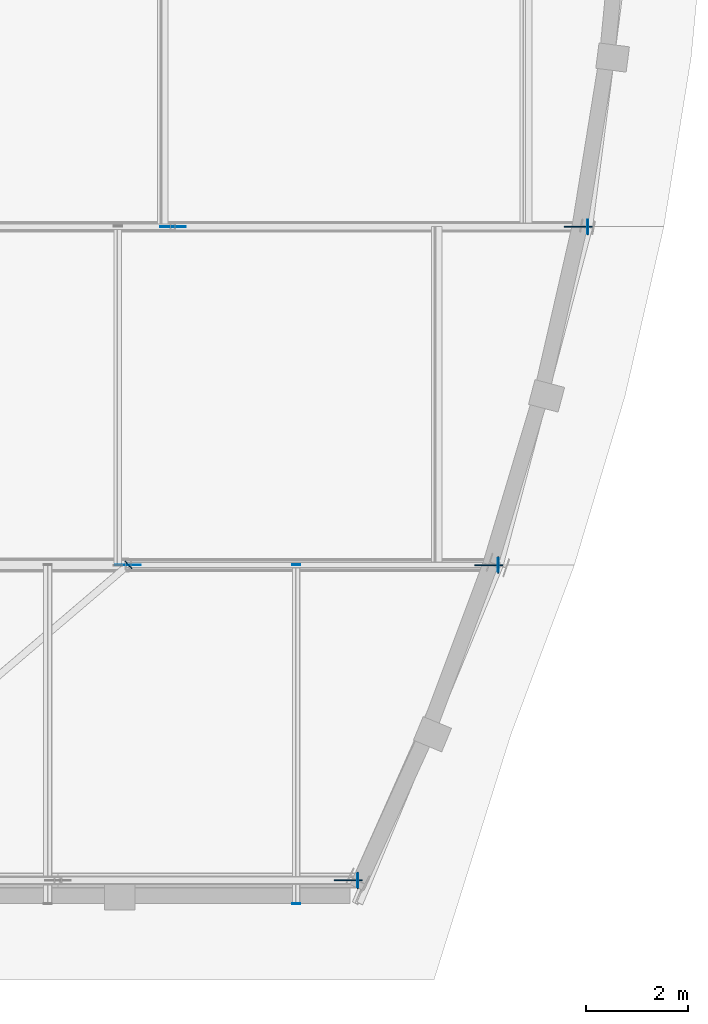
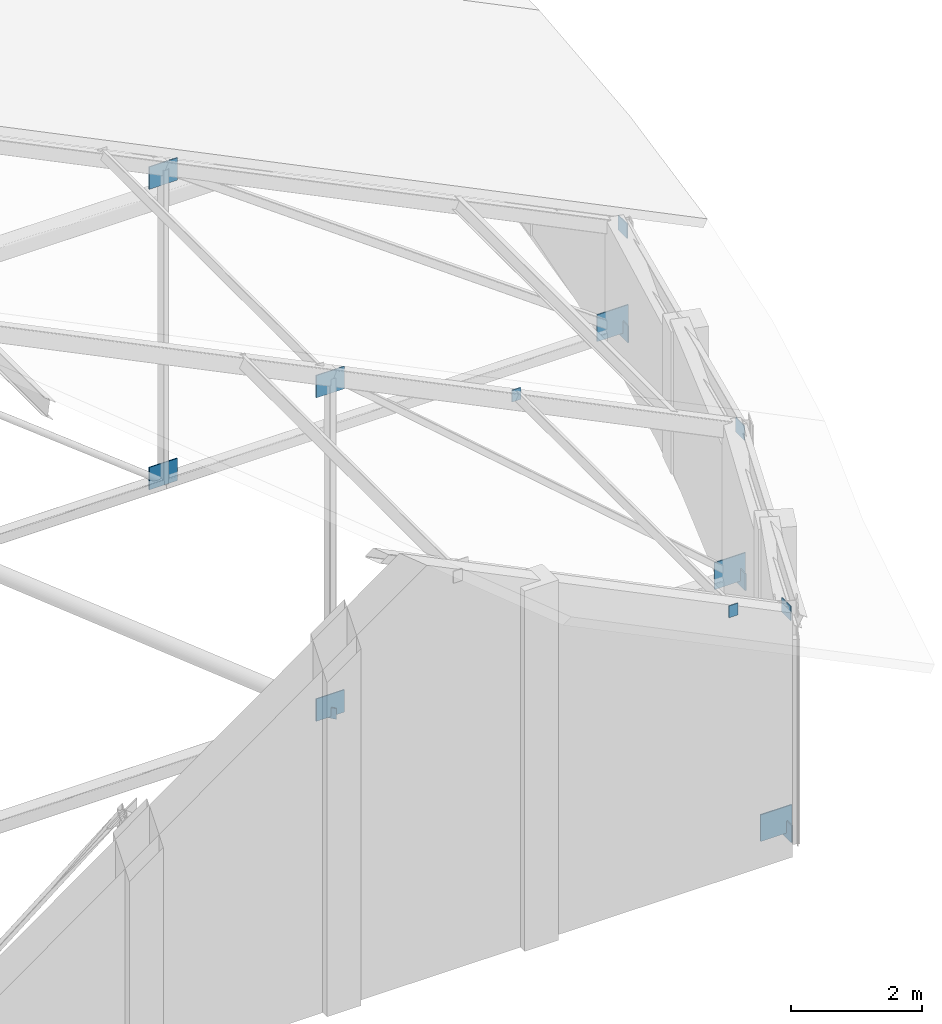
# One storey, part 53 of 78: 16 plates.
"""IFC4 building model written with IfcOpenShell, lengths in metres."""

from ifc_helpers import new_model, si_unit, direction, frame, origin, origin_2d, place, context, subcontext, project, spatial, rectangle, extrude, material, layer, layer_set, type_object, element, save


model = new_model("IFC4")

# Units and contexts
model_context = context("Model", 3, precision=1e-05, world=origin(), true_north=direction((0.0, 1.0)))
body_context = subcontext(model_context, "Body", "Model", "MODEL_VIEW")
ifc_project = project(units=[si_unit("LENGTHUNIT", "METRE"), si_unit("AREAUNIT", "SQUARE_METRE"), si_unit("VOLUMEUNIT", "CUBIC_METRE"), si_unit("PLANEANGLEUNIT", "RADIAN"), si_unit("MASSUNIT", "GRAM", prefix="KILO")], contexts=[model_context])

# Site, building, storey
site_placement = place(None, origin())
site = spatial("IfcSite", under=ifc_project, at=site_placement, CompositionType="ELEMENT")
building_placement = place(site_placement, origin())
building = spatial("IfcBuilding", under=site, at=building_placement, Name="Kelanivale Promenade Academy", CompositionType="ELEMENT")
storey_placement = place(building_placement, frame((0.0, 0.0, 16.199951171875)))
storey = spatial("IfcBuildingStorey", under=building, at=storey_placement, Name="L04", CompositionType="ELEMENT", Elevation=16.199951171875)

# Plates
ifc_material = material(Name="Steel S355", Category="steel")
ifc_layer_1 = layer(ifc_material, 0.01611328125)
ifc_layer_set_1 = layer_set([ifc_layer_1], Name="Steel S355")
plate_type_1 = type_object("IfcPlateType", Name="TN-CP16 Plate 16mm", PredefinedType="USERDEFINED", material=ifc_layer_set_1)
for number, where, z_axis, x_axis, name in (
    (1, (150.946044921875, 33.449951171875, 4.174072265625), (0.0, 0.0, 1.0), (1.0, 0.0, 0.0), "ROOF TRUSS TN-5 hollow-section end cap plate"),
    (2, (153.697021484375, 39.62890625, 2.8310546875), (0.0, 0.0, 1.0), (1.0, 0.0, 0.0), "ROOF TRUSS TN-5 hollow-section end cap plate"),
    (3, (155.448974609375, 46.257080078125, 1.97509765625), (0.0, 0.0, 1.0), (1.0, 0.0, 0.0), "ROOF TRUSS TN-5 hollow-section end cap plate"),
):
    element("IfcPlate", number, at=place(storey_placement, frame(where, z_axis=z_axis, x_axis=x_axis)), inside=storey, type_object=plate_type_1, Name=name, ObjectType="CAP PLATE", PredefinedType="USERDEFINED", context=body_context, shape_type="SweptSolid", body=[
        extrude(rectangle(XDim=0.01611328125, YDim=0.27001953125, at=origin_2d()), origin(), (0.0, 0.0, 1.0), 0.27001953125),
    ])
for number, where, z_axis, x_axis, name in (
    (4, (149.738037109375, 32.991943359375, 4.8779296875), (0.0, 0.0, 1.0), (0.0, -1.0, 0.0), "ROOF TRUSS TN-4 hollow-section end cap plate"),
    (5, (149.738037109375, 39.636962890625, 4.8779296875), (0.0, 0.0, 1.0), (0.0, 1.0, 0.0), "ROOF TRUSS TN-4 hollow-section end cap plate"),
):
    element("IfcPlate", number, at=place(storey_placement, frame(where, z_axis=z_axis, x_axis=x_axis)), inside=storey, type_object=plate_type_1, Name=name, ObjectType="CAP PLATE", PredefinedType="USERDEFINED", context=body_context, shape_type="SweptSolid", body=[
        extrude(rectangle(XDim=0.01611328125, YDim=0.159912109375, at=origin_2d()), origin(), (0.0, 0.0, 1.0), 0.219970703125),
    ])
plate_placement = place(storey_placement, frame((146.450927734375, 39.634033203125, 0.10009765625), z_axis=(0.0, 0.0, 1.0), x_axis=(0.760859180527, 0.648917026597, 0.0)))
element("IfcPlate", 6, at=plate_placement, inside=storey, type_object=plate_type_1, Name="ROOF TRUSS TN-3 hollow-section end cap plate", ObjectType="CAP PLATE", PredefinedType="USERDEFINED", context=body_context, shape_type="SweptSolid", body=[
    extrude(rectangle(XDim=0.01611328125, YDim=0.199951171875, at=origin_2d()), origin(), (0.0, 0.0, 1.0), 0.199951171875),
])
ifc_layer_2 = layer(ifc_material, 0.02001953125)
ifc_layer_set_2 = layer_set([ifc_layer_2], Name="Steel S355")
plate_type_2 = type_object("IfcPlateType", Name="TN-CP20 Plate 20mm", PredefinedType="USERDEFINED", material=ifc_layer_set_2)
for number, where, z_axis, x_axis, name in (
    (7, (150.947998046875, 33.449951171875, 0.0400390625), (0.0, 0.0, 1.0), (1.0, 0.0, 0.0), "ROOF TRUSS TN-5 hollow-section end cap plate"),
    (8, (153.698974609375, 39.62890625, 0.0400390625), (0.0, 0.0, 1.0), (1.0, 0.0, 0.0), "ROOF TRUSS TN-5 hollow-section end cap plate"),
    (9, (155.450927734375, 46.257080078125, 0.0400390625), (0.0, 0.0, 1.0), (1.0, 0.0, 0.0), "ROOF TRUSS TN-5 hollow-section end cap plate"),
):
    element("IfcPlate", number, at=place(storey_placement, frame(where, z_axis=z_axis, x_axis=x_axis)), inside=storey, type_object=plate_type_2, Name=name, ObjectType="CAP PLATE", PredefinedType="USERDEFINED", context=body_context, shape_type="SweptSolid", body=[
        extrude(rectangle(XDim=0.02001953125, YDim=0.320068359375, at=origin_2d()), origin(), (0.0, 0.0, 1.0), 0.320068359375),
    ])
ifc_layer_3 = layer(ifc_material, 0.01611328125)
ifc_layer_set_3 = layer_set([ifc_layer_3], Name="Steel S355")
plate_type_3 = type_object("IfcPlateType", Name="TN-GP16 Plate 16mm", PredefinedType="USERDEFINED", material=ifc_layer_set_3)
for number, where, z_axis, x_axis, name in (
    (10, (146.445068359375, 39.62890625, 0.130126953125), (0.0, 0.0, 1.0), (1.0, 0.0, 0.0), "ROOF TRUSS TN-3E welded node gusset plate"),
    (11, (146.445068359375, 39.62890625, 6.174072265625), (0.0, 0.0, 1.0), (1.0, 0.0, 0.0), "ROOF TRUSS TN-4E welded node gusset plate"),
    (12, (147.320068359375, 46.257080078125, 0.130126953125), (0.0, 0.0, 1.0), (1.0, 0.0, 0.0), "ROOF TRUSS TN-3E welded node gusset plate"),
    (13, (147.320068359375, 46.257080078125, 5.74609375), (0.0, 0.0, 1.0), (1.0, 0.0, 0.0), "ROOF TRUSS TN-4E welded node gusset plate"),
):
    element("IfcPlate", number, at=place(storey_placement, frame(where, z_axis=z_axis, x_axis=x_axis)), inside=storey, type_object=plate_type_3, Name=name, ObjectType="GUSSET PLATE", PredefinedType="USERDEFINED", context=body_context, shape_type="SweptSolid", body=[
        extrude(rectangle(XDim=0.5, YDim=0.01611328125, at=origin_2d()), origin(), (0.0, 0.0, 1.0), 0.419921875),
    ])
ifc_layer_4 = layer(ifc_material, 0.02001953125)
ifc_layer_set_4 = layer_set([ifc_layer_4], Name="Steel S355")
plate_type_4 = type_object("IfcPlateType", Name="TN-GP20 Plate 20mm", PredefinedType="USERDEFINED", material=ifc_layer_set_4)
for number, where, z_axis, x_axis, name in (
    (14, (150.758056640625, 33.449951171875, 0.130126953125), (0.0, 0.0, 1.0), (1.0, 0.0, 0.0), "ROOF TRUSS TN-5 welded node gusset plate"),
    (15, (153.509033203125, 39.62890625, 0.130126953125), (0.0, 0.0, 1.0), (1.0, 0.0, 0.0), "ROOF TRUSS TN-5 welded node gusset plate"),
    (16, (155.260986328125, 46.257080078125, 0.130126953125), (0.0, 0.0, 1.0), (1.0, 0.0, 0.0), "ROOF TRUSS TN-5 welded node gusset plate"),
):
    element("IfcPlate", number, at=place(storey_placement, frame(where, z_axis=z_axis, x_axis=x_axis)), inside=storey, type_object=plate_type_4, Name=name, ObjectType="GUSSET PLATE", PredefinedType="USERDEFINED", context=body_context, shape_type="SweptSolid", body=[
        extrude(rectangle(XDim=0.550048828125, YDim=0.02001953125, at=origin_2d()), origin(), (0.0, 0.0, 1.0), 0.5),
    ])

save(model, "model.ifc")
